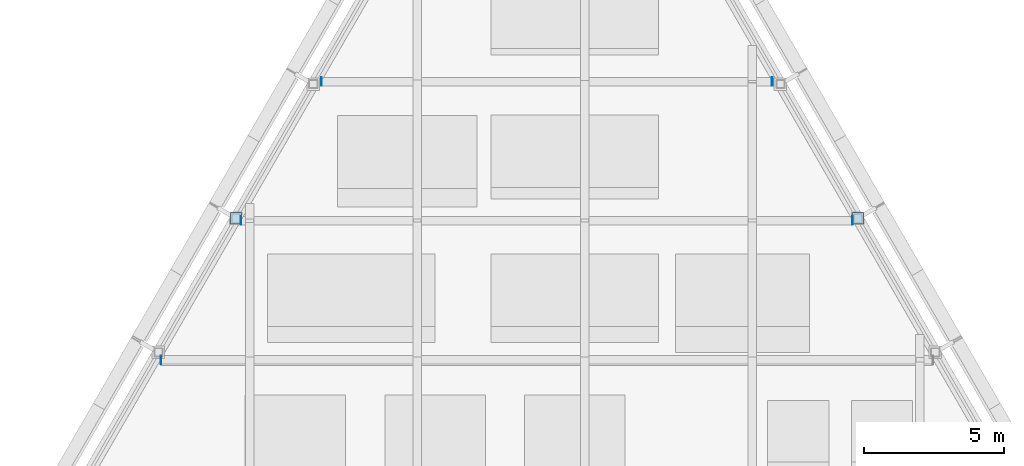
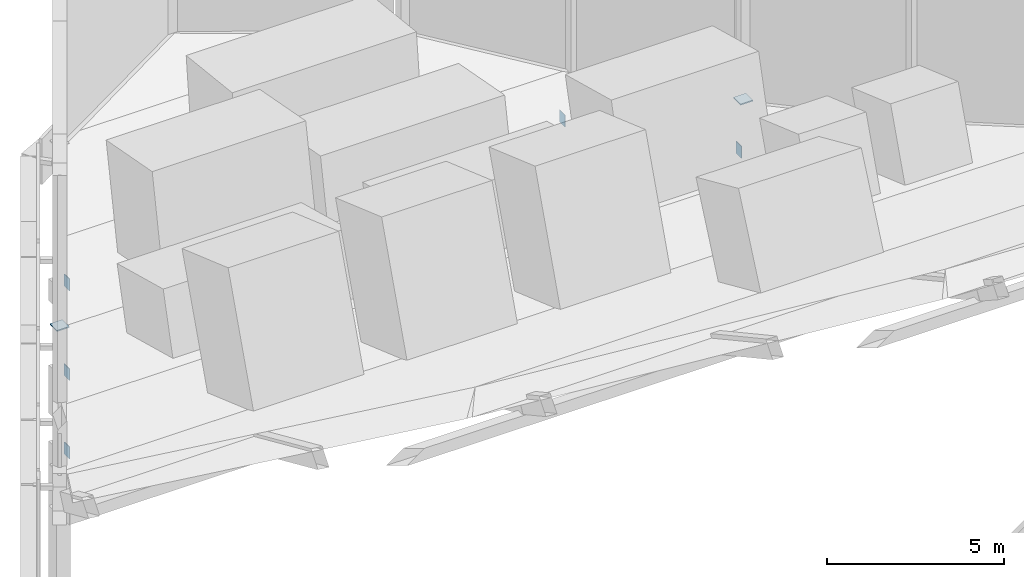
# One storey, part 9 of 13: 7 plates.
"""IFC4 building model written with IfcOpenShell, lengths in metres."""

from ifc_helpers import new_model, si_unit, direction, frame, origin, origin_2d, place, context, subcontext, project, spatial, rectangle, extrude, material, layer, layer_set, type_object, element, save


model = new_model("IFC4")

# Units and contexts
model_context = context("Model", 3, precision=1e-05, world=origin(), true_north=direction((0.0, 1.0)))
body_context = subcontext(model_context, "Body", "Model", "MODEL_VIEW")
ifc_project = project(units=[si_unit("LENGTHUNIT", "METRE"), si_unit("AREAUNIT", "SQUARE_METRE"), si_unit("VOLUMEUNIT", "CUBIC_METRE"), si_unit("PLANEANGLEUNIT", "RADIAN"), si_unit("MASSUNIT", "GRAM", prefix="KILO")], contexts=[model_context])

# Site, building, storey
site_placement = place(None, origin())
site = spatial("IfcSite", under=ifc_project, at=site_placement, CompositionType="ELEMENT")
building_placement = place(site_placement, origin())
building = spatial("IfcBuilding", under=site, at=building_placement, Name="Firuza Gate Tower and Library", CompositionType="ELEMENT")
storey_placement = place(building_placement, frame((0.0, 0.0, 358.0)))
storey = spatial("IfcBuildingStorey", under=building, at=storey_placement, Name="Upper roof", CompositionType="ELEMENT", Elevation=358.0)

# Plates
ifc_material_1 = material(Name="Steel S355", Category="steel")
ifc_layer_1 = layer(ifc_material_1, 0.0400390625)
ifc_layer_set_1 = layer_set([ifc_layer_1], Name="Finial mast base plate")
plate_type_1 = type_object("IfcPlateType", Name="Finial mast base plate", PredefinedType="SHEET", material=ifc_layer_set_1)
for number, where, z_axis, x_axis, name in (
    (1, (86.134765625, 84.62890625, 2.65283203125), (0.0, 0.0, 1.0), (1.0, 0.0, 0.0), "Finial mast base plate 13"),
    (2, (63.865234375, 84.62890625, 2.65283203125), (0.0, 0.0, 1.0), (1.0, 0.0, 0.0), "Finial mast base plate 19"),
):
    element("IfcPlate", number, at=place(storey_placement, frame(where, z_axis=z_axis, x_axis=x_axis)), inside=storey, type_object=plate_type_1, Name=name, PredefinedType="SHEET", context=body_context, shape_type="SweptSolid", body=[
        extrude(rectangle(XDim=0.39990234375, YDim=0.39990234375, at=origin_2d()), origin(), (0.0, 0.0, 1.0), 0.0400390625),
    ])
ifc_material_2 = material(Name="Steel S355", Category="steel")
ifc_layer_2 = layer(ifc_material_2, 0.02001953125)
ifc_layer_set_2 = layer_set([ifc_layer_2], Name="Roof arc girder end plate")
plate_type_2 = type_object("IfcPlateType", Name="Roof arc girder end plate", PredefinedType="SHEET", material=ifc_layer_set_2)
for number, where, z_axis, x_axis, name in (
    (3, (61.18017578125, 79.56103515625, 2.18798828125), (0.0, 0.0, 1.0), (1.0, 0.0, 0.0), "Roof arc girder end plate 5.1"),
    (4, (64.05517578125, 84.540771484375, 0.85693359375), (0.0, 0.0, 1.0), (1.0, 0.0, 0.0), "Roof arc girder end plate 6.1"),
    (5, (85.94482421875, 84.540771484375, 0.85693359375), (0.0, 0.0, 1.0), (1.0, 0.0, 0.0), "Roof arc girder end plate 6.2"),
    (6, (66.93017578125, 89.520263671875, -0.07763671875), (0.0, 0.0, 1.0), (1.0, 0.0, 0.0), "Roof arc girder end plate 7.1"),
    (7, (83.06982421875, 89.520263671875, -0.07763671875), (0.0, 0.0, 1.0), (1.0, 0.0, 0.0), "Roof arc girder end plate 7.2"),
):
    element("IfcPlate", number, at=place(storey_placement, frame(where, z_axis=z_axis, x_axis=x_axis)), inside=storey, type_object=plate_type_2, Name=name, PredefinedType="SHEET", context=body_context, shape_type="SweptSolid", body=[
        extrude(rectangle(XDim=0.02001953125, YDim=0.3046875, at=origin_2d()), origin(), (0.0, 0.0, 1.0), 0.406494140625),
    ])

save(model, "model.ifc")
